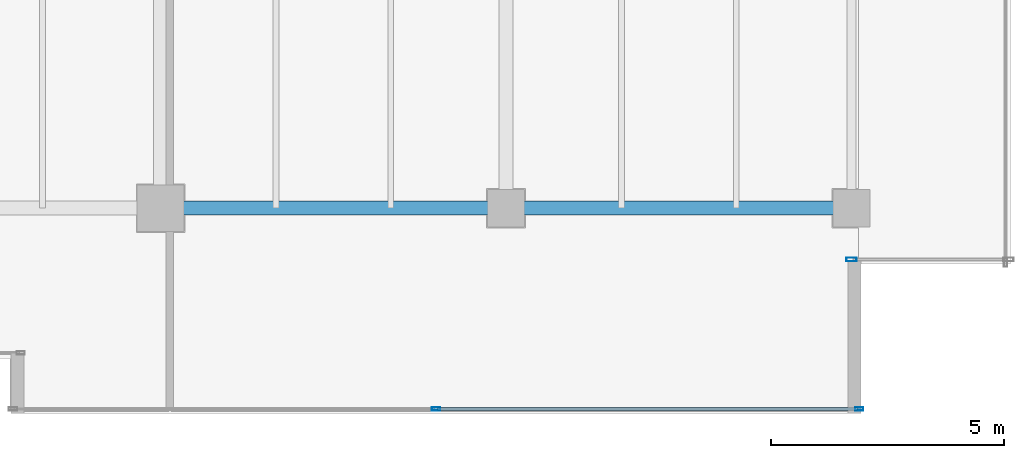
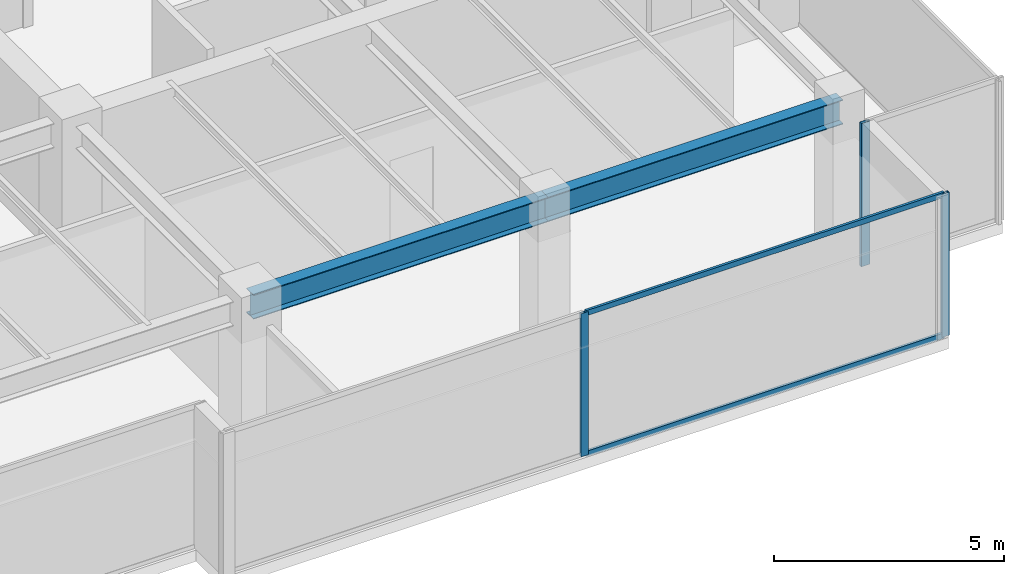
# One storey, part 13 of 36: 5 members, 2 beams, 2 elements without a shape of their own.
"""IFC4 building model written with IfcOpenShell, lengths in metres."""

from ifc_helpers import new_model, si_unit, direction, frame, origin, origin_2d, place, context, subcontext, project, spatial, hollow_rectangle, i_section, extrude, source, transform, mapped, material, layer, layer_set, material_profile, profile_set, type_object, type_shapes, element, aggregate, save


model = new_model("IFC4")

# Units and contexts
model_context = context("Model", 3, precision=1e-05, world=origin(), true_north=direction((0.0, 1.0)))
body_context = subcontext(model_context, "Body", "Model", "MODEL_VIEW")
ifc_project = project(units=[si_unit("LENGTHUNIT", "METRE"), si_unit("AREAUNIT", "SQUARE_METRE"), si_unit("VOLUMEUNIT", "CUBIC_METRE"), si_unit("PLANEANGLEUNIT", "RADIAN"), si_unit("MASSUNIT", "GRAM", prefix="KILO")], contexts=[model_context])

# Site, building, storey
site_placement = place(None, origin())
site = spatial("IfcSite", under=ifc_project, at=site_placement, CompositionType="ELEMENT")
building_placement = place(site_placement, origin())
building = spatial("IfcBuilding", under=site, at=building_placement, Name="Haelvirn Gate Laboratories", CompositionType="ELEMENT")
storey_placement = place(building_placement, frame((0.0, 0.0, 262.89990234375)))
storey = spatial("IfcBuildingStorey", under=building, at=storey_placement, Name="L63", CompositionType="ELEMENT", Elevation=262.89990234375)

# Beams
ifc_material_1 = material(Name="Steel SM355", Category="steel")
ifc_material_profile_1 = material_profile(ifc_material_1, i_section(OverallWidth=0.300048828125, OverallDepth=0.64990234375, WebThickness=0.012939453125, FlangeThickness=0.02197265625, at=origin_2d()), Name="H-650x300x13x22")
ifc_profile_set_1 = profile_set([ifc_material_profile_1], Name="Steel SM355")
beam_type = type_object("IfcBeamType", Name="BM-G-650", PredefinedType="BEAM", material=ifc_profile_set_1)
shared_shape_1 = source(origin(), body_context, "Body", "SweptSolid", [
    extrude(i_section(OverallWidth=0.300048828125, OverallDepth=0.64990234375, WebThickness=0.012939453125, FlangeThickness=0.02197265625, at=origin_2d()), origin(), (0.0, 0.0, 1.0), 7.39990234375),
])
type_shapes(beam_type, [shared_shape_1])
for number, where, z_axis, x_axis, name in (
    (1, (52.60009765625, 7.0, 3.47509765625), (1.0, 0.0, 0.0), (0.0, 1.0, 0.0), "L63 Primary Girder Y7.0 (52.6-60.0)"),
    (2, (60.0, 7.0, 3.47509765625), (1.0, 0.0, 0.0), (0.0, 1.0, 0.0), "L63 Primary Girder Y7.0 (60.0-67.4)"),
):
    element("IfcBeam", number, at=place(storey_placement, frame(where, z_axis=z_axis, x_axis=x_axis)), inside=storey, type_object=beam_type, Name=name, PredefinedType="BEAM", context=body_context, shape_type="MappedRepresentation", body=[
        mapped(shared_shape_1, transform((0.0, 0.0, 0.0), scale=1.0)),
    ])

# Curtain wall, members
ifc_material_2 = material(Name="Anodised bronze unitised aluminium & triple low-E glass", Category="aluminium")
ifc_layer_1 = layer(ifc_material_2, 0.176025390625, Name="CW-SYS-4")
ifc_layer_set_1 = layer_set([ifc_layer_1], Name="Anodised bronze unitised aluminium & triple low-E glass")
curtain_wall_type_1 = type_object("IfcCurtainWallType", Name="CW-SYS-4", PredefinedType="NOTDEFINED", material=ifc_layer_set_1)
curtain_wall_1_placement = place(storey_placement, origin())
curtain_wall_1 = element("IfcCurtainWall", 3, at=curtain_wall_1_placement, inside=storey, type_object=curtain_wall_type_1, Name="L63 Unitised Curtain Wall CW-L63-P0-E04-1", PredefinedType="NOTDEFINED")
ifc_material_3 = material(Name="Extruded aluminium 6063-T6 (anodised bronze)", Category="aluminium")
ifc_material_profile_2 = material_profile(ifc_material_3, hollow_rectangle(XDim=0.06494140625, YDim=0.139892578125, WallThickness=0.00390625, at=origin_2d()), Name="CWT-140x65x4")
ifc_profile_set_2 = profile_set([ifc_material_profile_2], Name="Extruded aluminium 6063-T6 (anodised bronze)")
member_type_1 = type_object("IfcMemberType", Name="CWT-T140", PredefinedType="USERDEFINED", material=ifc_profile_set_2)
shared_shape_2 = source(origin(), body_context, "Body", "SweptSolid", [
    extrude(hollow_rectangle(XDim=0.06494140625, YDim=0.139892578125, WallThickness=0.00390625, at=origin_2d()), origin(), (0.0, 0.0, 1.0), 8.9951171875),
])
type_shapes(member_type_1, [shared_shape_2])
member_1_placement = place(storey_placement, frame((58.534912109375, 2.699951171875, 0.03271484375), z_axis=(1.0, 0.0, 0.0), x_axis=(0.0, 1.0, 0.0)))
member_1 = element("IfcMember", 4, at=member_1_placement, type_object=member_type_1, Name="CW4 transom 2.1", ObjectType="TRANSOM", PredefinedType="USERDEFINED", context=body_context, shape_type="MappedRepresentation", body=[
    mapped(shared_shape_2, transform((0.0, 0.0, 0.0), scale=1.0)),
])
member_2_placement = place(storey_placement, frame((58.534912109375, 2.699951171875, 3.767578125), z_axis=(1.0, 0.0, 0.0), x_axis=(0.0, 1.0, 0.0)))
member_2 = element("IfcMember", 5, at=member_2_placement, type_object=member_type_1, Name="CW4 transom 2.2", ObjectType="TRANSOM", PredefinedType="USERDEFINED", context=body_context, shape_type="MappedRepresentation", body=[
    mapped(shared_shape_2, transform((0.0, 0.0, 0.0), scale=1.0)),
])
ifc_material_profile_3 = material_profile(ifc_material_3, hollow_rectangle(XDim=0.070068359375, YDim=0.179931640625, WallThickness=0.0048828125, at=origin_2d()), Name="CWM-180x70x5")
ifc_profile_set_3 = profile_set([ifc_material_profile_3], Name="Extruded aluminium 6063-T6 (anodised bronze)")
member_type_2 = type_object("IfcMemberType", Name="CWM-T180", PredefinedType="MULLION", material=ifc_profile_set_3)
shared_shape_3 = source(origin(), body_context, "Body", "SweptSolid", [
    extrude(hollow_rectangle(XDim=0.070068359375, YDim=0.179931640625, WallThickness=0.0048828125, at=origin_2d()), origin(), (0.0, 0.0, 1.0), 3.800048828125),
])
type_shapes(member_type_2, [shared_shape_3])
member_3_placement = place(storey_placement, frame((58.5, 2.699951171875, 0.0), z_axis=(0.0, 0.0, 1.0), x_axis=(0.0, 1.0, 0.0)))
member_3 = element("IfcMember", 6, at=member_3_placement, type_object=member_type_2, Name="CW4 mullion 2", PredefinedType="MULLION", context=body_context, shape_type="MappedRepresentation", body=[
    mapped(shared_shape_3, transform((0.0, 0.0, 0.0), scale=1.0)),
])
member_4_placement = place(storey_placement, frame((67.56494140625, 2.699951171875, 0.0), z_axis=(0.0, 0.0, 1.0), x_axis=(0.0, 1.0, 0.0)))
member_4 = element("IfcMember", 7, at=member_4_placement, type_object=member_type_2, Name="CW4 mullion 3", PredefinedType="MULLION", context=body_context, shape_type="MappedRepresentation", body=[
    mapped(shared_shape_3, transform((0.0, 0.0, 0.0), scale=1.0)),
])
aggregate(curtain_wall_1, [member_3, member_4, member_1, member_2])

# Curtain wall, member
ifc_layer_2 = layer(ifc_material_2, 0.181884765625, Name="CW-SYS-5")
ifc_layer_set_2 = layer_set([ifc_layer_2], Name="Anodised bronze unitised aluminium & triple low-E glass")
curtain_wall_type_2 = type_object("IfcCurtainWallType", Name="CW-SYS-5", PredefinedType="NOTDEFINED", material=ifc_layer_set_2)
curtain_wall_2_placement = place(storey_placement, origin())
curtain_wall_2 = element("IfcCurtainWall", 8, at=curtain_wall_2_placement, inside=storey, type_object=curtain_wall_type_2, Name="L63 Unitised Curtain Wall CW-L63-P0-E06-1", PredefinedType="NOTDEFINED")
ifc_material_profile_4 = material_profile(ifc_material_3, hollow_rectangle(XDim=0.080078125, YDim=0.219970703125, WallThickness=0.006103515625, at=origin_2d()), Name="CWM-220x80x6")
ifc_profile_set_4 = profile_set([ifc_material_profile_4], Name="Extruded aluminium 6063-T6 (anodised bronze)")
member_type_3 = type_object("IfcMemberType", Name="CWM-T220", PredefinedType="MULLION", material=ifc_profile_set_4)
shared_shape_4 = source(origin(), body_context, "Body", "SweptSolid", [
    extrude(hollow_rectangle(XDim=0.080078125, YDim=0.219970703125, WallThickness=0.006103515625, at=origin_2d()), origin(), (0.0, 0.0, 1.0), 3.800048828125),
])
type_shapes(member_type_3, [shared_shape_4])
member_5_placement = place(storey_placement, frame((67.39990234375, 5.89990234375, 0.0), z_axis=(0.0, 0.0, 1.0), x_axis=(0.0, 1.0, 0.0)))
member_5 = element("IfcMember", 9, at=member_5_placement, type_object=member_type_3, Name="CW5 mullion 1", PredefinedType="MULLION", context=body_context, shape_type="MappedRepresentation", body=[
    mapped(shared_shape_4, transform((0.0, 0.0, 0.0), scale=1.0)),
])
aggregate(curtain_wall_2, [member_5])

save(model, "model.ifc")
